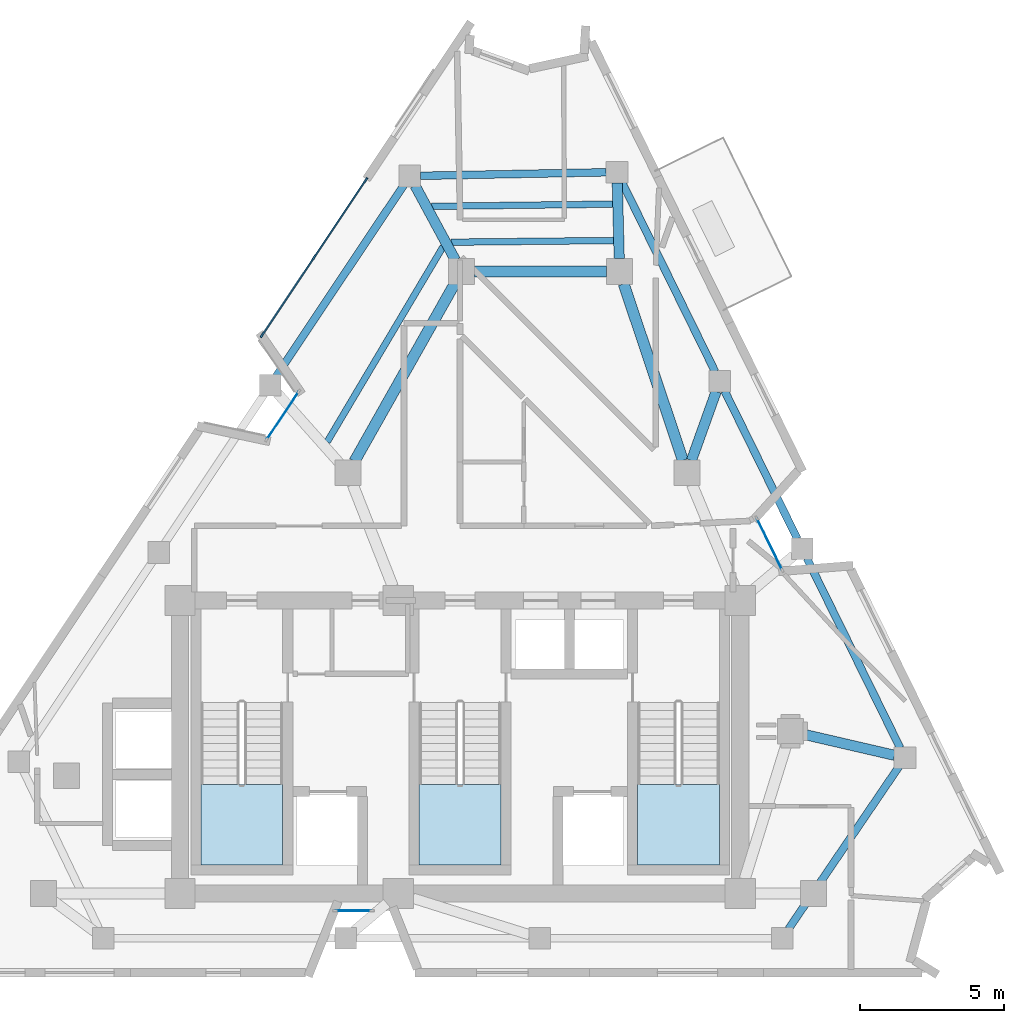
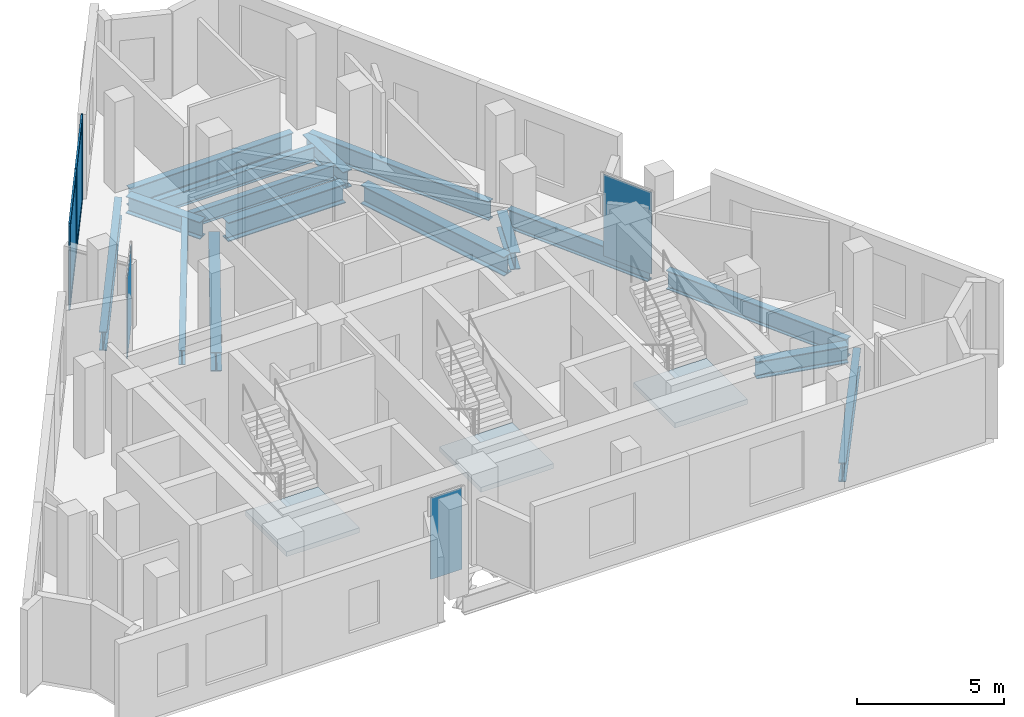
# One storey, part 3 of 8: 16 beams, 7 members, 5 plates, 3 slabs, 7 elements without a shape of their own.
"""IFC4 building model written with IfcOpenShell, lengths in metres."""

from ifc_helpers import new_model, si_unit, direction, frame, origin, origin_2d, place, context, subcontext, project, spatial, polyline, rectangle, i_section, outline, extrude, material, layer, layer_set, material_profile, profile_set, type_object, element, aggregate, save


model = new_model("IFC4")

# Units and contexts
model_context = context("Model", 3, precision=1e-05, world=origin(), true_north=direction((0.0, 1.0)))
body_context = subcontext(model_context, "Body", "Model", "MODEL_VIEW")
ifc_project = project(units=[si_unit("LENGTHUNIT", "METRE"), si_unit("AREAUNIT", "SQUARE_METRE"), si_unit("VOLUMEUNIT", "CUBIC_METRE"), si_unit("PLANEANGLEUNIT", "RADIAN"), si_unit("MASSUNIT", "GRAM", prefix="KILO")], contexts=[model_context])

# Site, building, storey
site_placement = place(None, origin())
site = spatial("IfcSite", under=ifc_project, at=site_placement, CompositionType="ELEMENT")
building_placement = place(site_placement, origin())
building = spatial("IfcBuilding", under=site, at=building_placement, Name="Almagre Mirador Tower", CompositionType="ELEMENT")
storey_placement = place(building_placement, frame((0.0, 0.0, 274.5)))
storey = spatial("IfcBuildingStorey", under=building, at=storey_placement, Name="L71", CompositionType="ELEMENT", Elevation=274.5)

# Beams
ifc_material_1 = material(Name="Steel ASTM A992 Grade 50", Category="steel")
ifc_material_profile_1 = material_profile(ifc_material_1, i_section(OverallWidth=0.22802734375, OverallDepth=0.60791015625, WebThickness=0.01123046875, FlangeThickness=0.017333984375, FilletRadius=0.02001953125, at=origin_2d()), Name="W24X76")
ifc_profile_set_1 = profile_set([ifc_material_profile_1], Name="Steel ASTM A992 Grade 50")
beam_type_1 = type_object("IfcBeamType", Name="BM-JST-W24X76", PredefinedType="JOIST", material=ifc_profile_set_1)
beam_1_placement = place(storey_placement, frame((42.610595703125, 28.54638671875, -0.553955078125), z_axis=(-0.999927091, -0.01207529232, 0.0), x_axis=(0.01207529232, -0.999927091, 0.0)))
element("IfcBeam", 1, at=beam_1_placement, inside=storey, type_object=beam_type_1, Name="L71 secondary floor joist PC08-PC09.1", PredefinedType="JOIST", context=body_context, shape_type="SweptSolid", body=[
    extrude(i_section(OverallWidth=0.22802734375, OverallDepth=0.60791015625, WebThickness=0.01123046875, FlangeThickness=0.017333984375, FilletRadius=0.02001953125, at=origin_2d()), origin(), (0.0, 0.0, 1.0), 6.30810546875),
])
beam_2_placement = place(storey_placement, frame((42.64306640625, 27.281005859375, -0.553955078125), z_axis=(-0.999945179087, -0.010470855749, 0.0), x_axis=(0.010470855749, -0.999945179087, 0.0)))
element("IfcBeam", 2, at=beam_2_placement, inside=storey, type_object=beam_type_1, Name="L71 secondary floor joist PC08-PC09.3", PredefinedType="JOIST", context=body_context, shape_type="SweptSolid", body=[
    extrude(i_section(OverallWidth=0.22802734375, OverallDepth=0.60791015625, WebThickness=0.01123046875, FlangeThickness=0.017333984375, FilletRadius=0.02001953125, at=origin_2d()), origin(), (0.0, 0.0, 1.0), 5.665771484375),
])
beam_3_placement = place(storey_placement, frame((36.707275390625, 27.06591796875, -0.553955078125), z_axis=(-0.510540896265, -0.85985347196, 0.0), x_axis=(0.85985347196, -0.510540896265, 0.0)))
element("IfcBeam", 3, at=beam_3_placement, inside=storey, type_object=beam_type_1, Name="L71 secondary floor joist PC09-PC10.3", PredefinedType="JOIST", context=body_context, shape_type="SweptSolid", body=[
    extrude(i_section(OverallWidth=0.22802734375, OverallDepth=0.60791015625, WebThickness=0.01123046875, FlangeThickness=0.017333984375, FilletRadius=0.02001953125, at=origin_2d()), origin(), (0.0, 0.0, 1.0), 7.89990234375),
])
ifc_material_2 = material(Name="Steel ASTM A992 Grade 50", Category="steel")
ifc_material_profile_2 = material_profile(ifc_material_2, i_section(OverallWidth=0.26708984375, OverallDepth=0.779052734375, WebThickness=0.0166015625, FlangeThickness=0.030029296875, FilletRadius=0.02392578125, at=origin_2d()), Name="W30X148")
ifc_profile_set_2 = profile_set([ifc_material_profile_2], Name="Steel ASTM A992 Grade 50")
beam_type_2 = type_object("IfcBeamType", Name="BM-SPN-W30X148", PredefinedType="SPANDREL", material=ifc_profile_set_2)
beam_4_placement = place(storey_placement, frame((48.726806640625, 3.31005859375, -0.639404296875), z_axis=(0.562310021407, 0.82692650207, 0.0), x_axis=(-0.82692650207, 0.562310021407, 0.0)))
element("IfcBeam", 4, at=beam_4_placement, inside=storey, type_object=beam_type_2, Name="L71 perimeter spandrel beam PC04-PC05", PredefinedType="SPANDREL", context=body_context, shape_type="SweptSolid", body=[
    extrude(i_section(OverallWidth=0.26708984375, OverallDepth=0.779052734375, WebThickness=0.0166015625, FlangeThickness=0.030029296875, FilletRadius=0.02392578125, at=origin_2d()), origin(), (0.0, 0.0, 1.0), 6.842041015625),
])
beam_5_placement = place(storey_placement, frame((52.619384765625, 9.614501953125, -0.639404296875), z_axis=(-0.441261435998, 0.897378596302, 0.0), x_axis=(-0.897378596302, -0.441261435998, 0.0)))
element("IfcBeam", 5, at=beam_5_placement, inside=storey, type_object=beam_type_2, Name="L71 perimeter spandrel beam PC05-PC06", PredefinedType="SPANDREL", context=body_context, shape_type="SweptSolid", body=[
    extrude(i_section(OverallWidth=0.26708984375, OverallDepth=0.779052734375, WebThickness=0.0166015625, FlangeThickness=0.030029296875, FilletRadius=0.02392578125, at=origin_2d()), origin(), (0.0, 0.0, 1.0), 7.362548828125),
])
beam_6_placement = place(storey_placement, frame((49.03955078125, 16.89453125, -0.639404296875), z_axis=(-0.441283159843, 0.897367913867, 0.0), x_axis=(-0.897367913867, -0.441283159843, 0.0)))
element("IfcBeam", 6, at=beam_6_placement, inside=storey, type_object=beam_type_2, Name="L71 perimeter spandrel beam PC06-PC07", PredefinedType="SPANDREL", context=body_context, shape_type="SweptSolid", body=[
    extrude(i_section(OverallWidth=0.26708984375, OverallDepth=0.779052734375, WebThickness=0.0166015625, FlangeThickness=0.030029296875, FilletRadius=0.02392578125, at=origin_2d()), origin(), (0.0, 0.0, 1.0), 5.739990234375),
])
beam_7_placement = place(storey_placement, frame((46.175537109375, 22.718505859375, -0.639404296875), z_axis=(-0.441288138853, 0.897365465408, 0.0), x_axis=(-0.897365465408, -0.441288138853, 0.0)))
element("IfcBeam", 7, at=beam_7_placement, inside=storey, type_object=beam_type_2, Name="L71 perimeter spandrel beam PC07-PC08", PredefinedType="SPANDREL", context=body_context, shape_type="SweptSolid", body=[
    extrude(i_section(OverallWidth=0.26708984375, OverallDepth=0.779052734375, WebThickness=0.0166015625, FlangeThickness=0.030029296875, FilletRadius=0.02392578125, at=origin_2d()), origin(), (0.0, 0.0, 1.0), 7.362548828125),
])
beam_8_placement = place(storey_placement, frame((42.385986328125, 29.65478515625, -0.639404296875), z_axis=(-0.99982288109, -0.018820373253, 0.0), x_axis=(0.018820373253, -0.99982288109, 0.0)))
element("IfcBeam", 8, at=beam_8_placement, inside=storey, type_object=beam_type_2, Name="L71 perimeter spandrel beam PC08-PC09", PredefinedType="SPANDREL", context=body_context, shape_type="SweptSolid", body=[
    extrude(i_section(OverallWidth=0.26708984375, OverallDepth=0.779052734375, WebThickness=0.0166015625, FlangeThickness=0.030029296875, FilletRadius=0.02392578125, at=origin_2d()), origin(), (0.0, 0.0, 1.0), 6.460205078125),
])
beam_9_placement = place(storey_placement, frame((35.34375, 29.214111328125, -0.639404296875), z_axis=(-0.555228061938, -0.831698141898, 0.0), x_axis=(0.831698141898, -0.555228061938, 0.0)))
element("IfcBeam", 9, at=beam_9_placement, inside=storey, type_object=beam_type_2, Name="L71 perimeter spandrel beam PC09-PC10", PredefinedType="SPANDREL", context=body_context, shape_type="SweptSolid", body=[
    extrude(i_section(OverallWidth=0.26708984375, OverallDepth=0.779052734375, WebThickness=0.0166015625, FlangeThickness=0.030029296875, FilletRadius=0.02392578125, at=origin_2d()), origin(), (0.0, 0.0, 1.0), 8.003173828125),
])
ifc_material_3 = material(Name="Steel ASTM A992 Grade 50", Category="steel")
ifc_material_profile_3 = material_profile(ifc_material_3, i_section(OverallWidth=0.35791015625, OverallDepth=0.7060546875, WebThickness=0.018310546875, FlangeThickness=0.0302734375, FilletRadius=0.02197265625, at=origin_2d()), Name="W27X178")
ifc_profile_set_3 = profile_set([ifc_material_profile_3], Name="Steel ASTM A992 Grade 50")
beam_type_3 = type_object("IfcBeamType", Name="BM-STL-W27X178", PredefinedType="BEAM", material=ifc_profile_set_3)
beam_10_placement = place(storey_placement, frame((52.419677734375, 9.362548828125, -0.60302734375), z_axis=(-0.974262507949, 0.225416427094, 0.0), x_axis=(-0.225416427094, -0.974262507949, 0.0)))
element("IfcBeam", 10, at=beam_10_placement, inside=storey, type_object=beam_type_3, Name="L71 radial floor girder PC05-MC3", PredefinedType="BEAM", context=body_context, shape_type="SweptSolid", body=[
    extrude(i_section(OverallWidth=0.35791015625, OverallDepth=0.7060546875, WebThickness=0.018310546875, FlangeThickness=0.0302734375, FilletRadius=0.02197265625, at=origin_2d()), origin(), (0.0, 0.0, 1.0), 3.265380859375),
])
beam_11_placement = place(storey_placement, frame((46.21435546875, 22.029052734375, -0.60302734375), z_axis=(-0.337528381074, -0.941315352031, 0.0), x_axis=(0.941315352031, -0.337528381074, 0.0)))
element("IfcBeam", 11, at=beam_11_placement, inside=storey, type_object=beam_type_3, Name="L71 radial floor girder PC07-MC5", PredefinedType="BEAM", context=body_context, shape_type="SweptSolid", body=[
    extrude(i_section(OverallWidth=0.35791015625, OverallDepth=0.7060546875, WebThickness=0.018310546875, FlangeThickness=0.0302734375, FilletRadius=0.02197265625, at=origin_2d()), origin(), (0.0, 0.0, 1.0), 2.555419921875),
])
beam_12_placement = place(storey_placement, frame((42.7705078125, 29.287109375, -0.60302734375), z_axis=(0.025727456063, -0.99966899422, 0.0), x_axis=(0.99966899422, 0.025727456063, 0.0)))
element("IfcBeam", 12, at=beam_12_placement, inside=storey, type_object=beam_type_3, Name="L71 radial floor girder PC08-MC6", PredefinedType="BEAM", context=body_context, shape_type="SweptSolid", body=[
    extrude(i_section(OverallWidth=0.35791015625, OverallDepth=0.7060546875, WebThickness=0.018310546875, FlangeThickness=0.0302734375, FilletRadius=0.02197265625, at=origin_2d()), origin(), (0.0, 0.0, 1.0), 2.63818359375),
])
beam_13_placement = place(storey_placement, frame((35.730224609375, 29.196044921875, -0.60302734375), z_axis=(0.475596501602, -0.879663553675, 0.0), x_axis=(0.879663553675, 0.475596501602, 0.0)))
element("IfcBeam", 13, at=beam_13_placement, inside=storey, type_object=beam_type_3, Name="L71 radial floor girder PC09-MC7", PredefinedType="BEAM", context=body_context, shape_type="SweptSolid", body=[
    extrude(i_section(OverallWidth=0.35791015625, OverallDepth=0.7060546875, WebThickness=0.018310546875, FlangeThickness=0.0302734375, FilletRadius=0.02197265625, at=origin_2d()), origin(), (0.0, 0.0, 1.0), 2.955810546875),
])
ifc_material_4 = material(Name="Steel ASTM A992 Grade 50", Category="steel")
ifc_material_profile_4 = material_profile(ifc_material_4, i_section(OverallWidth=0.384033203125, OverallDepth=0.784912109375, WebThickness=0.019775390625, FlangeThickness=0.033447265625, FilletRadius=0.02392578125, at=origin_2d()), Name="W30X211")
ifc_profile_set_4 = profile_set([ifc_material_profile_4], Name="Steel ASTM A992 Grade 50")
beam_type_4 = type_object("IfcBeamType", Name="BM-STL-W30X211", PredefinedType="BEAM", material=ifc_profile_set_4)
beam_14_placement = place(storey_placement, frame((37.800048828125, 26.199951171875, -0.642578125), z_axis=(1.0, 0.0, 0.0), x_axis=(0.0, 1.0, 0.0)))
element("IfcBeam", 14, at=beam_14_placement, inside=storey, type_object=beam_type_4, Name="L71 core tie girder MC7-MC6", PredefinedType="BEAM", context=body_context, shape_type="SweptSolid", body=[
    extrude(i_section(OverallWidth=0.384033203125, OverallDepth=0.784912109375, WebThickness=0.019775390625, FlangeThickness=0.033447265625, FilletRadius=0.02392578125, at=origin_2d()), origin(), (0.0, 0.0, 1.0), 4.599853515625),
])
beam_15_placement = place(storey_placement, frame((42.9931640625, 25.7734375, -0.642578125), z_axis=(0.318282890726, -0.947995781357, 0.0), x_axis=(0.947995781357, 0.318282890726, 0.0)))
element("IfcBeam", 15, at=beam_15_placement, inside=storey, type_object=beam_type_4, Name="L71 core tie girder MC6-MC5", PredefinedType="BEAM", context=body_context, shape_type="SweptSolid", body=[
    extrude(i_section(OverallWidth=0.384033203125, OverallDepth=0.784912109375, WebThickness=0.019775390625, FlangeThickness=0.033447265625, FilletRadius=0.02392578125, at=origin_2d()), origin(), (0.0, 0.0, 1.0), 6.48388671875),
])
beam_16_placement = place(storey_placement, frame((37.12890625, 25.80810546875, -0.642578125), z_axis=(-0.491446261843, -0.870907900825, 0.0), x_axis=(0.870907900825, -0.491446261843, 0.0)))
element("IfcBeam", 16, at=beam_16_placement, inside=storey, type_object=beam_type_4, Name="L71 core tie girder MC7-MC8", PredefinedType="BEAM", context=body_context, shape_type="SweptSolid", body=[
    extrude(i_section(OverallWidth=0.384033203125, OverallDepth=0.784912109375, WebThickness=0.019775390625, FlangeThickness=0.033447265625, FilletRadius=0.02392578125, at=origin_2d()), origin(), (0.0, 0.0, 1.0), 7.1376953125),
])

# Curtain wall, members
ifc_material_5 = material(Name="Black anodized aluminium", Category="aluminium")
ifc_layer_1 = layer(ifc_material_5, 0.199951171875)
ifc_layer_set_1 = layer_set([ifc_layer_1], Name="Black anodized aluminium")
curtain_wall_type_1 = type_object("IfcCurtainWallType", Name="CW-RES-H-SYS", PredefinedType="NOTDEFINED", material=ifc_layer_set_1)
curtain_wall_1_placement = place(storey_placement, origin())
curtain_wall_1 = element("IfcCurtainWall", 17, at=curtain_wall_1_placement, inside=storey, type_object=curtain_wall_type_1, Name="L71 curtain wall run 02", PredefinedType="NOTDEFINED")
ifc_material_6 = material(Name="Black anodized aluminium", Category="aluminium")
ifc_material_profile_5 = material_profile(ifc_material_6, rectangle(XDim=0.06494140625, YDim=0.179931640625, at=origin_2d()), Name="CWM65X180")
ifc_profile_set_5 = profile_set([ifc_material_profile_5], Name="Black anodized aluminium")
member_type_1 = type_object("IfcMemberType", Name="MBR-CWM65X180", PredefinedType="MULLION", material=ifc_profile_set_5)
member_1_placement = place(storey_placement, frame((30.412109375, 23.987060546875, 0.0), z_axis=(0.0, 0.0, 1.0), x_axis=(-0.83171011175, 0.555210131404, 0.0)))
member_1 = element("IfcMember", 18, at=member_1_placement, type_object=member_type_1, Name="CW-3 mullion 1", PredefinedType="MULLION", context=body_context, shape_type="SweptSolid", body=[
    extrude(rectangle(XDim=0.06494140625, YDim=0.179931640625, at=origin_2d()), origin(), (0.0, 0.0, 1.0), 3.5),
])
member_2_placement = place(storey_placement, frame((32.21533203125, 26.688232421875, 0.0), z_axis=(0.0, 0.0, 1.0), x_axis=(-0.83171011175, 0.555210131404, 0.0)))
member_2 = element("IfcMember", 19, at=member_2_placement, type_object=member_type_1, Name="CW-3 mullion 2", PredefinedType="MULLION", context=body_context, shape_type="SweptSolid", body=[
    extrude(rectangle(XDim=0.06494140625, YDim=0.179931640625, at=origin_2d()), origin(), (0.0, 0.0, 1.0), 3.5),
])
member_3_placement = place(storey_placement, frame((34.0185546875, 29.389404296875, 0.0), z_axis=(0.0, 0.0, 1.0), x_axis=(-0.83171011175, 0.555210131404, 0.0)))
member_3 = element("IfcMember", 20, at=member_3_placement, type_object=member_type_1, Name="CW-3 mullion 3", PredefinedType="MULLION", context=body_context, shape_type="SweptSolid", body=[
    extrude(rectangle(XDim=0.06494140625, YDim=0.179931640625, at=origin_2d()), origin(), (0.0, 0.0, 1.0), 3.5),
])
ifc_material_7 = material(Name="Black anodized aluminium", Category="aluminium")
ifc_material_profile_6 = material_profile(ifc_material_7, rectangle(XDim=0.06494140625, YDim=0.14990234375, at=origin_2d()), Name="CWT65X150")
ifc_profile_set_6 = profile_set([ifc_material_profile_6], Name="Black anodized aluminium")
member_type_2 = type_object("IfcMemberType", Name="MBR-CWT65X150", PredefinedType="USERDEFINED", material=ifc_profile_set_6)
member_4_placement = place(storey_placement, frame((30.43017578125, 24.01416015625, 0.032470703125), z_axis=(0.555231156461, 0.831696076037, 0.0), x_axis=(-0.831696076037, 0.555231156461, 0.0)))
member_4 = element("IfcMember", 21, at=member_4_placement, type_object=member_type_2, Name="CW-3 transom 1.1", ObjectType="TRANSOM", PredefinedType="USERDEFINED", context=body_context, shape_type="SweptSolid", body=[
    extrude(rectangle(XDim=0.06494140625, YDim=0.14990234375, at=origin_2d()), origin(), (0.0, 0.0, 1.0), 3.1826171875),
])
member_5_placement = place(storey_placement, frame((30.43017578125, 24.01416015625, 3.467529296875), z_axis=(0.555231156461, 0.831696076037, 0.0), x_axis=(-0.831696076037, 0.555231156461, 0.0)))
member_5 = element("IfcMember", 22, at=member_5_placement, type_object=member_type_2, Name="CW-3 transom 1.2", ObjectType="TRANSOM", PredefinedType="USERDEFINED", context=body_context, shape_type="SweptSolid", body=[
    extrude(rectangle(XDim=0.06494140625, YDim=0.14990234375, at=origin_2d()), origin(), (0.0, 0.0, 1.0), 3.1826171875),
])
member_6_placement = place(storey_placement, frame((32.2333984375, 26.71533203125, 0.032470703125), z_axis=(0.555195734533, 0.831719722236, 0.0), x_axis=(-0.831719722236, 0.555195734533, 0.0)))
member_6 = element("IfcMember", 23, at=member_6_placement, type_object=member_type_2, Name="CW-3 transom 2.1", ObjectType="TRANSOM", PredefinedType="USERDEFINED", context=body_context, shape_type="SweptSolid", body=[
    extrude(rectangle(XDim=0.06494140625, YDim=0.14990234375, at=origin_2d()), origin(), (0.0, 0.0, 1.0), 3.182861328125),
])
member_7_placement = place(storey_placement, frame((32.2333984375, 26.71533203125, 3.467529296875), z_axis=(0.555195734533, 0.831719722236, 0.0), x_axis=(-0.831719722236, 0.555195734533, 0.0)))
member_7 = element("IfcMember", 24, at=member_7_placement, type_object=member_type_2, Name="CW-3 transom 2.2", ObjectType="TRANSOM", PredefinedType="USERDEFINED", context=body_context, shape_type="SweptSolid", body=[
    extrude(rectangle(XDim=0.06494140625, YDim=0.14990234375, at=origin_2d()), origin(), (0.0, 0.0, 1.0), 3.182861328125),
])

# Curtain wall, plate
ifc_material_8 = material(Name="Black anodized aluminium", Category="aluminium")
ifc_layer_2 = layer(ifc_material_8, 0.169921875)
ifc_layer_set_2 = layer_set([ifc_layer_2], Name="Black anodized aluminium")
curtain_wall_type_2 = type_object("IfcCurtainWallType", Name="CW-CRS-SYS", PredefinedType="NOTDEFINED", material=ifc_layer_set_2)
curtain_wall_2_placement = place(storey_placement, origin())
curtain_wall_2 = element("IfcCurtainWall", 25, at=curtain_wall_2_placement, inside=storey, type_object=curtain_wall_type_2, Name="L71 vertical crease curtain wall 01", PredefinedType="NOTDEFINED")
ifc_material_9 = material(Name="Dark solar-control laminated hurricane glass", Category="glass")
ifc_layer_3 = layer(ifc_material_9, 0.028076171875)
ifc_layer_set_3 = layer_set([ifc_layer_3], Name="Dark solar-control laminated hurricane glass")
plate_type_1 = type_object("IfcPlateType", Name="PLT-GLZ-28", PredefinedType="CURTAIN_PANEL", material=ifc_layer_set_3)
plate_1_placement = place(storey_placement, frame((31.126953125, 21.18603515625, 0.06005859375), z_axis=(0.0, 0.0, 1.0), x_axis=(0.555141875507, 0.831755672093, 0.0)))
plate_1 = element("IfcPlate", 26, at=plate_1_placement, type_object=plate_type_1, Name="CW-4 panel 1.1", PredefinedType="CURTAIN_PANEL", context=body_context, shape_type="SweptSolid", body=[
    extrude(rectangle(XDim=1.969482421875, YDim=0.028076171875, at=origin_2d()), origin(), (0.0, 0.0, 1.0), 3.3798828125),
])
aggregate(curtain_wall_2, [plate_1])

curtain_wall_3_placement = place(storey_placement, origin())
curtain_wall_3 = element("IfcCurtainWall", 27, at=curtain_wall_3_placement, inside=storey, type_object=curtain_wall_type_2, Name="L71 vertical crease curtain wall 03", PredefinedType="NOTDEFINED")
plate_2_placement = place(storey_placement, frame((48.070068359375, 16.71337890625, 0.06005859375), z_axis=(0.0, 0.0, 1.0), x_axis=(0.441269112304, -0.897374821647, 0.0)))
plate_2 = element("IfcPlate", 28, at=plate_2_placement, type_object=plate_type_1, Name="CW-4 panel 1.1", PredefinedType="CURTAIN_PANEL", context=body_context, shape_type="SweptSolid", body=[
    extrude(rectangle(XDim=1.969482421875, YDim=0.028076171875, at=origin_2d()), origin(), (0.0, 0.0, 1.0), 3.3798828125),
])
aggregate(curtain_wall_3, [plate_2])

curtain_wall_4_placement = place(storey_placement, origin())
curtain_wall_4 = element("IfcCurtainWall", 29, at=curtain_wall_4_placement, inside=storey, type_object=curtain_wall_type_2, Name="L71 vertical crease curtain wall 04", PredefinedType="NOTDEFINED")
plate_3_placement = place(storey_placement, frame((33.592041015625, 3.949951171875, 0.06005859375), z_axis=(0.0, 0.0, 1.0), x_axis=(-1.0, 0.0, 0.0)))
plate_3 = element("IfcPlate", 30, at=plate_3_placement, type_object=plate_type_1, Name="CW-4 panel 1.1", PredefinedType="CURTAIN_PANEL", context=body_context, shape_type="SweptSolid", body=[
    extrude(rectangle(XDim=1.22607421875, YDim=0.028076171875, at=origin_2d()), origin(), (0.0, 0.0, 1.0), 3.3798828125),
])
aggregate(curtain_wall_4, [plate_3])

# Plate
ifc_material_10 = material(Name="Dark solar-control laminated hurricane glass", Category="glass")
ifc_layer_4 = layer(ifc_material_10, 0.035888671875)
ifc_layer_set_4 = layer_set([ifc_layer_4], Name="Dark solar-control laminated hurricane glass")
plate_type_2 = type_object("IfcPlateType", Name="PLT-GLZ-36", PredefinedType="CURTAIN_PANEL", material=ifc_layer_set_4)
plate_4_placement = place(storey_placement, frame((31.313720703125, 25.337646484375, 0.06494140625), z_axis=(0.0, 0.0, 1.0), x_axis=(0.555210131404, 0.83171011175, 0.0)))
plate_4 = element("IfcPlate", 31, at=plate_4_placement, type_object=plate_type_2, Name="CW-3 panel 1.1", PredefinedType="CURTAIN_PANEL", context=body_context, shape_type="SweptSolid", body=[
    extrude(rectangle(XDim=3.182861328125, YDim=0.035888671875, at=origin_2d()), origin(), (0.0, 0.0, 1.0), 3.3701171875),
])

plate_5_placement = place(storey_placement, frame((33.116943359375, 28.038818359375, 0.06494140625), z_axis=(0.0, 0.0, 1.0), x_axis=(0.555210131404, 0.83171011175, 0.0)))
plate_5 = element("IfcPlate", 32, at=plate_5_placement, type_object=plate_type_2, Name="CW-3 panel 2.1", PredefinedType="CURTAIN_PANEL", context=body_context, shape_type="SweptSolid", body=[
    extrude(rectangle(XDim=3.182861328125, YDim=0.035888671875, at=origin_2d()), origin(), (0.0, 0.0, 1.0), 3.3701171875),
])

aggregate(curtain_wall_1, [member_1, member_2, member_3, member_4, member_5, plate_4, member_6, member_7, plate_5])

# Stair, slab
ifc_material_11 = material(Name="Concrete C45/55", Category="concrete")
stair_type = type_object("IfcStairType", Name="STR-DL-3750", PredefinedType="HALF_TURN_STAIR", material=ifc_material_11)
stair_1_placement = place(storey_placement, origin())
stair_1 = element("IfcStair", 33, at=stair_1_placement, inside=storey, type_object=stair_type, Name="L71 Protected exit stair ST-1", PredefinedType="HALF_TURN_STAIR")
ifc_material_12 = material(Name="Concrete C45/55", Category="concrete")
ifc_layer_5 = layer(ifc_material_12, 0.199951171875)
ifc_layer_set_5 = layer_set([ifc_layer_5], Name="Concrete C45/55")
slab_type = type_object("IfcSlabType", Name="SLB-LND-200", PredefinedType="LANDING", material=ifc_layer_set_5)
slab_1_placement = place(storey_placement, frame((0.0, 0.0, 1.675048828125)))
slab_1 = element("IfcSlab", 34, at=slab_1_placement, type_object=slab_type, Name="ST-1 landing 1", PredefinedType="LANDING", context=body_context, shape_type="SweptSolid", body=[
    extrude(outline(polyline([(28.27490234375, 8.35009765625), (28.27490234375, 5.550048828125), (31.125, 5.550048828125), (31.125, 8.35009765625), (28.27490234375, 8.35009765625)])), origin(), (0.0, 0.0, 1.0), 0.199951171875),
])
aggregate(stair_1, [slab_1])

stair_2_placement = place(storey_placement, origin())
stair_2 = element("IfcStair", 35, at=stair_2_placement, inside=storey, type_object=stair_type, Name="L71 Protected exit stair ST-2", PredefinedType="HALF_TURN_STAIR")
slab_2_placement = place(storey_placement, frame((0.0, 0.0, 1.675048828125)))
slab_2 = element("IfcSlab", 36, at=slab_2_placement, type_object=slab_type, Name="ST-2 landing 1", PredefinedType="LANDING", context=body_context, shape_type="SweptSolid", body=[
    extrude(outline(polyline([(35.875, 8.35009765625), (35.875, 5.550048828125), (38.72509765625, 5.550048828125), (38.72509765625, 8.35009765625), (35.875, 8.35009765625)])), origin(), (0.0, 0.0, 1.0), 0.199951171875),
])
aggregate(stair_2, [slab_2])

stair_3_placement = place(storey_placement, origin())
stair_3 = element("IfcStair", 37, at=stair_3_placement, inside=storey, type_object=stair_type, Name="L71 Protected exit stair ST-3", PredefinedType="HALF_TURN_STAIR")
slab_3_placement = place(storey_placement, frame((0.0, 0.0, 1.675048828125)))
slab_3 = element("IfcSlab", 38, at=slab_3_placement, type_object=slab_type, Name="ST-3 landing 1", PredefinedType="LANDING", context=body_context, shape_type="SweptSolid", body=[
    extrude(outline(polyline([(43.47509765625, 8.35009765625), (43.47509765625, 5.550048828125), (46.324951171875, 5.550048828125), (46.324951171875, 8.35009765625), (43.47509765625, 8.35009765625)])), origin(), (0.0, 0.0, 1.0), 0.199951171875),
])
aggregate(stair_3, [slab_3])

save(model, "model.ifc")
